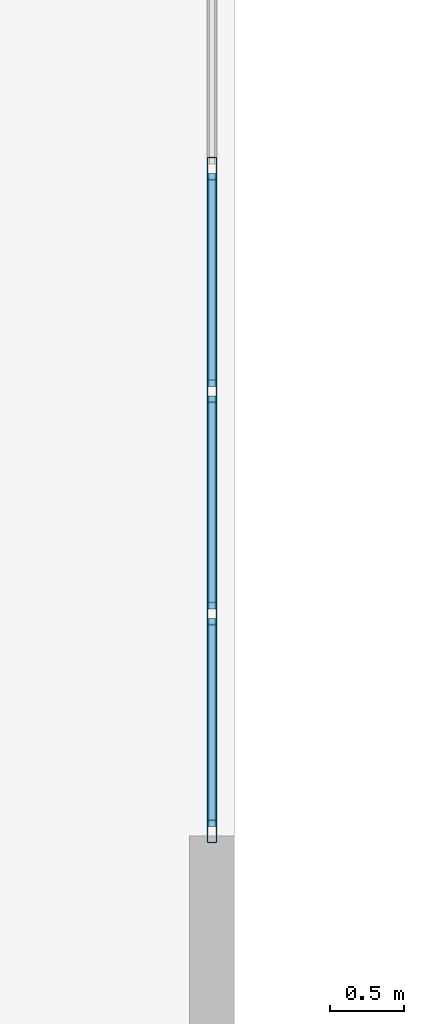
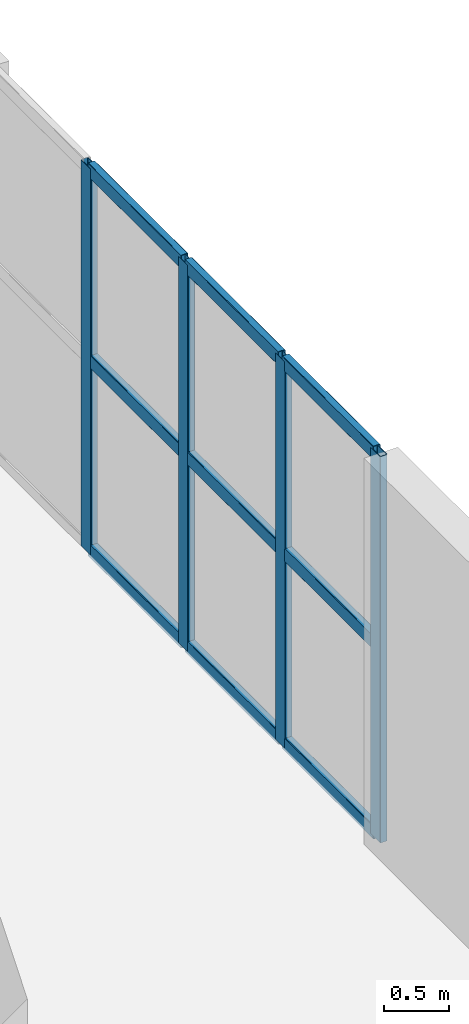
# One storey, part 2 of 9: 13 members, 1 element without a shape of its own.
"""IFC4 building model written with IfcOpenShell, lengths in metres."""

from ifc_helpers import new_model, entity, si_unit, converted_unit, direction, frame, origin_with_axes, origin_2d_with_axis, place, context, subcontext, project, spatial, hollow_rectangle, extrude, material, material_profile, profile_set, type_object, element, aggregate, save


model = new_model("IFC4")

# Units and contexts
model_context = context("Model", 3, precision=1e-05, world=origin_with_axes(), true_north=direction((0.0, 1.0)))
body_context = subcontext(model_context, "Body", "Model", "MODEL_VIEW")
ifc_project = project(units=[si_unit("LENGTHUNIT", "METRE"), si_unit("AREAUNIT", "SQUARE_METRE"), si_unit("VOLUMEUNIT", "CUBIC_METRE"), converted_unit("PLANEANGLEUNIT", "DEGREE", entity("IfcPlaneAngleMeasure", 0.017453292519943295), si_unit("PLANEANGLEUNIT", "RADIAN"), dimensions=[0, 0, 0, 0, 0, 0, 0]), si_unit("MASSUNIT", "GRAM", prefix="KILO"), si_unit("THERMODYNAMICTEMPERATUREUNIT", "KELVIN")], contexts=[model_context])

# Site, building, storey
site_placement = place(None, origin_with_axes())
site = spatial("IfcSite", under=ifc_project, at=site_placement, CompositionType="ELEMENT")
building_placement = place(site_placement, origin_with_axes())
building = spatial("IfcBuilding", under=site, at=building_placement, Name="Varnlund Millrace Tower", CompositionType="ELEMENT")
storey_placement = place(building_placement, frame((0.0, 0.0, 308.7), z_axis=(0.0, 0.0, 1.0), x_axis=(1.0, 0.0, 0.0)))
storey = spatial("IfcBuildingStorey", under=building, at=storey_placement, Name="L76", CompositionType="ELEMENT", Elevation=308.7)

# Curtain wall, members
ifc_material_1 = material(Name="Thermally broken architectural bronze curtain wall", Category="aluminium")
curtain_wall_type = type_object("IfcCurtainWallType", Name="Type-CW-Sys6-Observatory", PredefinedType="NOTDEFINED", material=ifc_material_1)
curtain_wall_placement = place(storey_placement, frame((32.25, 37.0, 0.0), z_axis=(0.0, 0.0, 1.0), x_axis=(1.0, 0.0, 0.0)))
curtain_wall = element("IfcCurtainWall", 1, at=curtain_wall_placement, inside=storey, type_object=curtain_wall_type, Name="Type-CW-Sys6-Observatory", PredefinedType="NOTDEFINED")
ifc_material_2 = material(Name="Architectural bronze aluminium alloy 6063-T6", Category="aluminium")
ifc_material_profile_1 = material_profile(ifc_material_2, hollow_rectangle(XDim=0.065, YDim=0.155, WallThickness=0.0045, InnerFilletRadius=0.004, OuterFilletRadius=0.009, at=origin_2d_with_axis()), Name="Architectural bronze aluminium alloy 6063-T6")
ifc_profile_set_1 = profile_set([ifc_material_profile_1], Name="Architectural bronze aluminium alloy 6063-T6")
member_type_1 = type_object("IfcMemberType", Name="Type-CW-Mullion-65X155", PredefinedType="MULLION", material=ifc_profile_set_1)
member_1_placement = place(storey_placement, frame((32.25, 35.5, 0.0), z_axis=(0.0, 0.0, 1.0), x_axis=(1.0, 0.0, 0.0)))
member_1 = element("IfcMember", 2, at=member_1_placement, type_object=member_type_1, Name="CW-06 mullion 2", PredefinedType="MULLION", context=body_context, shape_type="SweptSolid", body=[
    extrude(hollow_rectangle(XDim=0.065, YDim=0.155, WallThickness=0.0045, InnerFilletRadius=0.004, OuterFilletRadius=0.009, at=origin_2d_with_axis()), origin_with_axes(), (0.0, 0.0, 1.0), 3.64),
])
member_2_placement = place(storey_placement, frame((32.25, 34.0, 0.0), z_axis=(0.0, 0.0, 1.0), x_axis=(1.0, 0.0, 0.0)))
member_2 = element("IfcMember", 3, at=member_2_placement, type_object=member_type_1, Name="CW-06 mullion 3", PredefinedType="MULLION", context=body_context, shape_type="SweptSolid", body=[
    extrude(hollow_rectangle(XDim=0.065, YDim=0.155, WallThickness=0.0045, InnerFilletRadius=0.004, OuterFilletRadius=0.009, at=origin_2d_with_axis()), origin_with_axes(), (0.0, 0.0, 1.0), 3.64),
])
member_3_placement = place(storey_placement, frame((32.25, 32.5, 0.0), z_axis=(0.0, 0.0, 1.0), x_axis=(1.0, 0.0, 0.0)))
member_3 = element("IfcMember", 4, at=member_3_placement, type_object=member_type_1, Name="CW-06 mullion 4", PredefinedType="MULLION", context=body_context, shape_type="SweptSolid", body=[
    extrude(hollow_rectangle(XDim=0.065, YDim=0.155, WallThickness=0.0045, InnerFilletRadius=0.004, OuterFilletRadius=0.009, at=origin_2d_with_axis()), origin_with_axes(), (0.0, 0.0, 1.0), 3.64),
])
member_4_placement = place(storey_placement, frame((32.25, 31.0325, 0.0), z_axis=(0.0, 0.0, 1.0), x_axis=(1.0, 0.0, 0.0)))
member_4 = element("IfcMember", 5, at=member_4_placement, type_object=member_type_1, Name="CW-06 mullion 5", PredefinedType="MULLION", context=body_context, shape_type="SweptSolid", body=[
    extrude(hollow_rectangle(XDim=0.065, YDim=0.155, WallThickness=0.0045, InnerFilletRadius=0.004, OuterFilletRadius=0.009, at=origin_2d_with_axis()), origin_with_axes(), (0.0, 0.0, 1.0), 3.64),
])
ifc_material_profile_2 = material_profile(ifc_material_2, hollow_rectangle(XDim=0.065, YDim=0.13, WallThickness=0.0045, InnerFilletRadius=0.004, OuterFilletRadius=0.009, at=origin_2d_with_axis()), Name="Architectural bronze aluminium alloy 6063-T6")
ifc_profile_set_2 = profile_set([ifc_material_profile_2], Name="Architectural bronze aluminium alloy 6063-T6")
member_type_2 = type_object("IfcMemberType", Name="Type-CW-Transom-65X130", PredefinedType="USERDEFINED", material=ifc_profile_set_2)
member_5_placement = place(storey_placement, frame((32.25, 35.4675, 0.0325), z_axis=(0.0, -1.0, 0.0), x_axis=(1.0, 0.0, 0.0)))
member_5 = element("IfcMember", 6, at=member_5_placement, type_object=member_type_2, Name="CW-06 transom 2.1", ObjectType="TRANSOM", PredefinedType="USERDEFINED", context=body_context, shape_type="SweptSolid", body=[
    extrude(hollow_rectangle(XDim=0.065, YDim=0.13, WallThickness=0.0045, InnerFilletRadius=0.004, OuterFilletRadius=0.009, at=origin_2d_with_axis()), origin_with_axes(), (0.0, 0.0, 1.0), 1.435),
])
member_6_placement = place(storey_placement, frame((32.25, 35.4675, 1.82), z_axis=(0.0, -1.0, 0.0), x_axis=(1.0, 0.0, 0.0)))
member_6 = element("IfcMember", 7, at=member_6_placement, type_object=member_type_2, Name="CW-06 transom 2.2", ObjectType="TRANSOM", PredefinedType="USERDEFINED", context=body_context, shape_type="SweptSolid", body=[
    extrude(hollow_rectangle(XDim=0.065, YDim=0.13, WallThickness=0.0045, InnerFilletRadius=0.004, OuterFilletRadius=0.009, at=origin_2d_with_axis()), origin_with_axes(), (0.0, 0.0, 1.0), 1.435),
])
member_7_placement = place(storey_placement, frame((32.25, 35.4675, 3.6075), z_axis=(0.0, -1.0, 0.0), x_axis=(1.0, 0.0, 0.0)))
member_7 = element("IfcMember", 8, at=member_7_placement, type_object=member_type_2, Name="CW-06 transom 2.3", ObjectType="TRANSOM", PredefinedType="USERDEFINED", context=body_context, shape_type="SweptSolid", body=[
    extrude(hollow_rectangle(XDim=0.065, YDim=0.13, WallThickness=0.0045, InnerFilletRadius=0.004, OuterFilletRadius=0.009, at=origin_2d_with_axis()), origin_with_axes(), (0.0, 0.0, 1.0), 1.435),
])
member_8_placement = place(storey_placement, frame((32.25, 33.9675, 0.0325), z_axis=(0.0, -1.0, 0.0), x_axis=(1.0, 0.0, 0.0)))
member_8 = element("IfcMember", 9, at=member_8_placement, type_object=member_type_2, Name="CW-06 transom 3.1", ObjectType="TRANSOM", PredefinedType="USERDEFINED", context=body_context, shape_type="SweptSolid", body=[
    extrude(hollow_rectangle(XDim=0.065, YDim=0.13, WallThickness=0.0045, InnerFilletRadius=0.004, OuterFilletRadius=0.009, at=origin_2d_with_axis()), origin_with_axes(), (0.0, 0.0, 1.0), 1.435),
])
member_9_placement = place(storey_placement, frame((32.25, 33.9675, 1.82), z_axis=(0.0, -1.0, 0.0), x_axis=(1.0, 0.0, 0.0)))
member_9 = element("IfcMember", 10, at=member_9_placement, type_object=member_type_2, Name="CW-06 transom 3.2", ObjectType="TRANSOM", PredefinedType="USERDEFINED", context=body_context, shape_type="SweptSolid", body=[
    extrude(hollow_rectangle(XDim=0.065, YDim=0.13, WallThickness=0.0045, InnerFilletRadius=0.004, OuterFilletRadius=0.009, at=origin_2d_with_axis()), origin_with_axes(), (0.0, 0.0, 1.0), 1.435),
])
member_10_placement = place(storey_placement, frame((32.25, 33.9675, 3.6075), z_axis=(0.0, -1.0, 0.0), x_axis=(1.0, 0.0, 0.0)))
member_10 = element("IfcMember", 11, at=member_10_placement, type_object=member_type_2, Name="CW-06 transom 3.3", ObjectType="TRANSOM", PredefinedType="USERDEFINED", context=body_context, shape_type="SweptSolid", body=[
    extrude(hollow_rectangle(XDim=0.065, YDim=0.13, WallThickness=0.0045, InnerFilletRadius=0.004, OuterFilletRadius=0.009, at=origin_2d_with_axis()), origin_with_axes(), (0.0, 0.0, 1.0), 1.435),
])
member_11_placement = place(storey_placement, frame((32.25, 32.4675, 0.0325), z_axis=(0.0, -1.0, 0.0), x_axis=(1.0, 0.0, 0.0)))
member_11 = element("IfcMember", 12, at=member_11_placement, type_object=member_type_2, Name="CW-06 transom 4.1", ObjectType="TRANSOM", PredefinedType="USERDEFINED", context=body_context, shape_type="SweptSolid", body=[
    extrude(hollow_rectangle(XDim=0.065, YDim=0.13, WallThickness=0.0045, InnerFilletRadius=0.004, OuterFilletRadius=0.009, at=origin_2d_with_axis()), origin_with_axes(), (0.0, 0.0, 1.0), 1.4025),
])
member_12_placement = place(storey_placement, frame((32.25, 32.4675, 1.82), z_axis=(0.0, -1.0, 0.0), x_axis=(1.0, 0.0, 0.0)))
member_12 = element("IfcMember", 13, at=member_12_placement, type_object=member_type_2, Name="CW-06 transom 4.2", ObjectType="TRANSOM", PredefinedType="USERDEFINED", context=body_context, shape_type="SweptSolid", body=[
    extrude(hollow_rectangle(XDim=0.065, YDim=0.13, WallThickness=0.0045, InnerFilletRadius=0.004, OuterFilletRadius=0.009, at=origin_2d_with_axis()), origin_with_axes(), (0.0, 0.0, 1.0), 1.4025),
])
member_13_placement = place(storey_placement, frame((32.25, 32.4675, 3.6075), z_axis=(0.0, -1.0, 0.0), x_axis=(1.0, 0.0, 0.0)))
member_13 = element("IfcMember", 14, at=member_13_placement, type_object=member_type_2, Name="CW-06 transom 4.3", ObjectType="TRANSOM", PredefinedType="USERDEFINED", context=body_context, shape_type="SweptSolid", body=[
    extrude(hollow_rectangle(XDim=0.065, YDim=0.13, WallThickness=0.0045, InnerFilletRadius=0.004, OuterFilletRadius=0.009, at=origin_2d_with_axis()), origin_with_axes(), (0.0, 0.0, 1.0), 1.4025),
])
aggregate(curtain_wall, [member_1, member_2, member_3, member_4, member_5, member_6, member_7, member_8, member_9, member_10, member_11, member_12, member_13])

save(model, "model.ifc")
